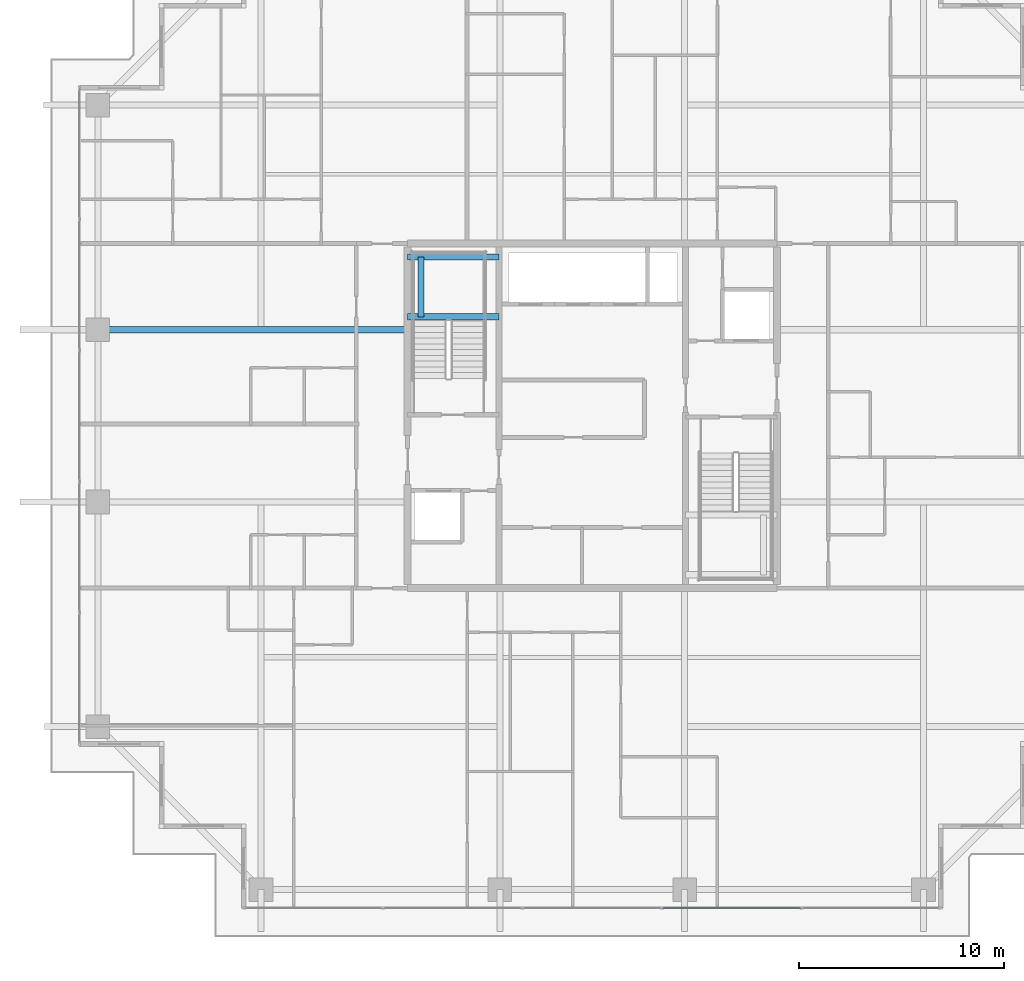
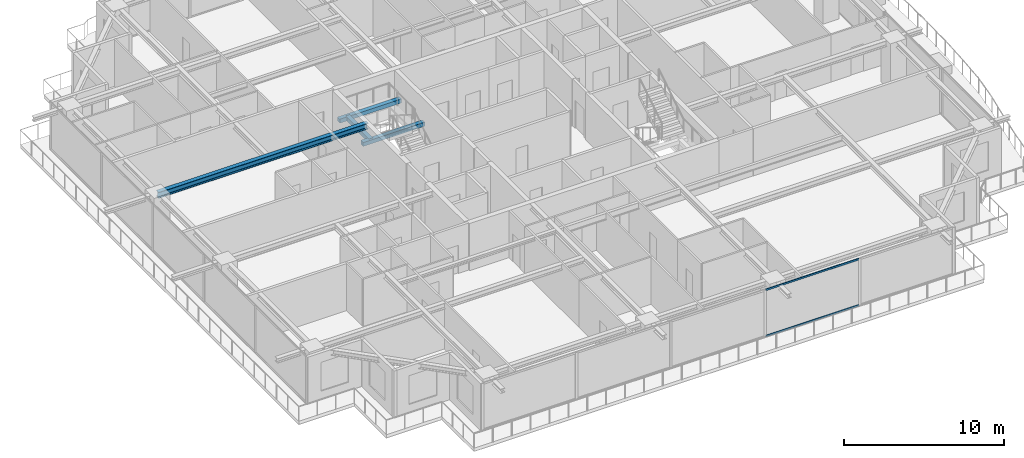
# One storey, part 10 of 37: 4 beams, 2 members, 1 element without a shape of its own.
"""IFC4 building model written with IfcOpenShell, lengths in metres."""

from ifc_helpers import new_model, si_unit, direction, frame, origin, origin_2d, place, context, subcontext, project, spatial, rectangle, hollow_rectangle, i_section, extrude, source, transform, mapped, material, layer, layer_set, material_profile, profile_set, type_object, element, aggregate, save


model = new_model("IFC4")

# Units and contexts
model_context = context("Model", 3, precision=1e-05, world=origin(), true_north=direction((0.0, 1.0)))
body_context = subcontext(model_context, "Body", "Model", "MODEL_VIEW")
ifc_project = project(units=[si_unit("LENGTHUNIT", "METRE"), si_unit("AREAUNIT", "SQUARE_METRE"), si_unit("VOLUMEUNIT", "CUBIC_METRE"), si_unit("PLANEANGLEUNIT", "RADIAN"), si_unit("MASSUNIT", "GRAM", prefix="KILO")], contexts=[model_context])

# Site, building, storey
site_placement = place(None, origin())
site = spatial("IfcSite", under=ifc_project, at=site_placement, CompositionType="ELEMENT")
building_placement = place(site_placement, origin())
building = spatial("IfcBuilding", under=site, at=building_placement, Name="Serunith Strait Residences", CompositionType="ELEMENT")
storey_placement = place(building_placement, frame((0.0, 0.0, 248.949951171875)))
storey = spatial("IfcBuildingStorey", under=building, at=storey_placement, Name="L62", CompositionType="ELEMENT", Elevation=248.949951171875)

# Beams
ifc_material_1 = material(Name="Steel S355J2", Category="steel")
ifc_material_profile_1 = material_profile(ifc_material_1, i_section(OverallWidth=0.300048828125, OverallDepth=0.449951171875, WebThickness=0.013916015625, FlangeThickness=0.02587890625, FilletRadius=0.027099609375, at=origin_2d()), Name="HEB 450")
ifc_profile_set_1 = profile_set([ifc_material_profile_1], Name="Steel S355J2")
beam_type_1 = type_object("IfcBeamType", Name="BM-HEB450", PredefinedType="BEAM", material=ifc_profile_set_1)
shared_shape_1 = source(origin(), body_context, "Body", "SweptSolid", [
    extrude(i_section(OverallWidth=0.300048828125, OverallDepth=0.449951171875, WebThickness=0.013916015625, FlangeThickness=0.02587890625, FilletRadius=0.027099609375, at=origin_2d()), origin(), (0.0, 0.0, 1.0), 15.099853515625),
])
beam_1_placement = place(storey_placement, frame((23.39990234375, 29.39990234375, 3.362060546875), z_axis=(-1.0, 0.0, 0.0), x_axis=(0.0, -1.0, 0.0)))
element("IfcBeam", 1, at=beam_1_placement, inside=storey, type_object=beam_type_1, Name="L62 Primary Floor Girder TC-W3", PredefinedType="BEAM", context=body_context, shape_type="MappedRepresentation", body=[
    mapped(shared_shape_1, transform((0.0, 0.0, 0.0), scale=1.0)),
])
ifc_material_2 = material(Name="Concrete C60/75", Category="concrete")
ifc_material_profile_2 = material_profile(ifc_material_2, rectangle(XDim=0.300048828125, YDim=0.300048828125, at=origin_2d()), Name="RC 300x300")
ifc_profile_set_2 = profile_set([ifc_material_profile_2], Name="Concrete C60/75")
beam_type_2 = type_object("IfcBeamType", Name="BM-LAND-300x300", PredefinedType="BEAM", material=ifc_profile_set_2)
shared_shape_2 = source(origin(), body_context, "Body", "SweptSolid", [
    extrude(rectangle(XDim=0.300048828125, YDim=0.300048828125, at=origin_2d()), origin(), (0.0, 0.0, 1.0), 4.4501953125),
])
for number, where, z_axis, x_axis, name in (
    (2, (23.39990234375, 30.030029296875, 1.574951171875), (1.0, 0.0, 0.0), (0.0, 1.0, 0.0), "L62 ST-1 Landing Support Beam 1"),
    (3, (23.39990234375, 32.949951171875, 1.574951171875), (1.0, 0.0, 0.0), (0.0, 1.0, 0.0), "L62 ST-1 Landing Support Beam 2"),
):
    element("IfcBeam", number, at=place(storey_placement, frame(where, z_axis=z_axis, x_axis=x_axis)), inside=storey, type_object=beam_type_2, Name=name, PredefinedType="BEAM", context=body_context, shape_type="MappedRepresentation", body=[
        mapped(shared_shape_2, transform((0.0, 0.0, 0.0), scale=1.0)),
    ])
shared_shape_3 = source(origin(), body_context, "Body", "SweptSolid", [
    extrude(rectangle(XDim=0.300048828125, YDim=0.300048828125, at=origin_2d()), origin(), (0.0, 0.0, 1.0), 2.919921875),
])
beam_2_placement = place(storey_placement, frame((24.050048828125, 30.030029296875, 1.574951171875), z_axis=(0.0, 1.0, 0.0), x_axis=(-1.0, 0.0, 0.0)))
element("IfcBeam", 4, at=beam_2_placement, inside=storey, type_object=beam_type_2, Name="L62 ST-1 Landing Transverse Tie Beam", PredefinedType="BEAM", context=body_context, shape_type="MappedRepresentation", body=[
    mapped(shared_shape_3, transform((0.0, 0.0, 0.0), scale=1.0)),
])

# Curtain wall, members
ifc_material_3 = material(Name="Pale-Champagne Anodised Aluminium", Category="aluminium")
ifc_layer = layer(ifc_material_3, 0.199951171875, Name="Pale-Champagne Anodised Aluminium")
ifc_layer_set = layer_set([ifc_layer], Name="Pale-Champagne Anodised Aluminium")
curtain_wall_type = type_object("IfcCurtainWallType", Name="CW-SYS4", PredefinedType="NOTDEFINED", material=ifc_layer_set)
curtain_wall_placement = place(storey_placement, origin())
curtain_wall = element("IfcCurtainWall", 5, at=curtain_wall_placement, inside=storey, type_object=curtain_wall_type, Name="L62 S Unitised Fritted Curtain Wall", PredefinedType="NOTDEFINED")
ifc_material_profile_3 = material_profile(ifc_material_3, hollow_rectangle(XDim=0.06005859375, YDim=0.139892578125, WallThickness=0.00341796875, InnerFilletRadius=0.00537109375, OuterFilletRadius=0.0087890625, at=origin_2d()), Name="ALU 140x60x3.5")
ifc_profile_set_3 = profile_set([ifc_material_profile_3], Name="Pale-Champagne Anodised Aluminium")
member_type = type_object("IfcMemberType", Name="CW-SYS4-TRAN", PredefinedType="USERDEFINED", material=ifc_profile_set_3)
shared_shape_4 = source(origin(), body_context, "Body", "SweptSolid", [
    extrude(hollow_rectangle(XDim=0.06005859375, YDim=0.139892578125, WallThickness=0.00341796875, InnerFilletRadius=0.00537109375, OuterFilletRadius=0.0087890625, at=origin_2d()), origin(), (0.0, 0.0, 1.0), 6.73486328125),
])
member_1_placement = place(storey_placement, frame((35.83251953125, 1.199951171875, 0.030029296875), z_axis=(1.0, 0.0, 0.0), x_axis=(0.0, 1.0, 0.0)))
member_1 = element("IfcMember", 6, at=member_1_placement, type_object=member_type, Name="CW-4 transom 4.1", ObjectType="TRANSOM", PredefinedType="USERDEFINED", context=body_context, shape_type="MappedRepresentation", body=[
    mapped(shared_shape_4, transform((0.0, 0.0, 0.0), scale=1.0)),
])
member_2_placement = place(storey_placement, frame((35.83251953125, 1.199951171875, 3.545166015625), z_axis=(1.0, 0.0, 0.0), x_axis=(0.0, 1.0, 0.0)))
member_2 = element("IfcMember", 7, at=member_2_placement, type_object=member_type, Name="CW-4 transom 4.2", ObjectType="TRANSOM", PredefinedType="USERDEFINED", context=body_context, shape_type="MappedRepresentation", body=[
    mapped(shared_shape_4, transform((0.0, 0.0, 0.0), scale=1.0)),
])
aggregate(curtain_wall, [member_1, member_2])

save(model, "model.ifc")
